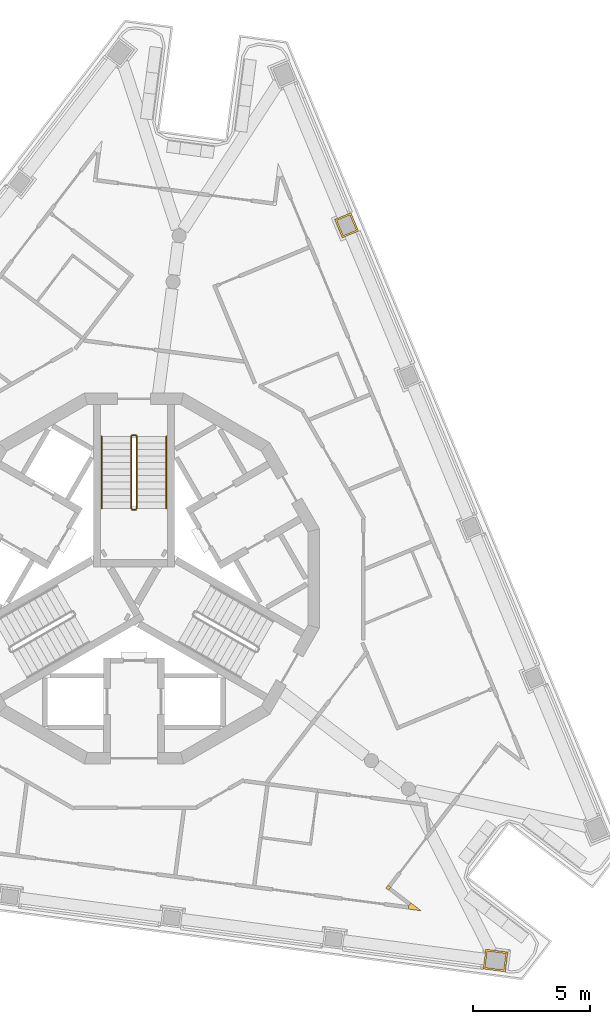
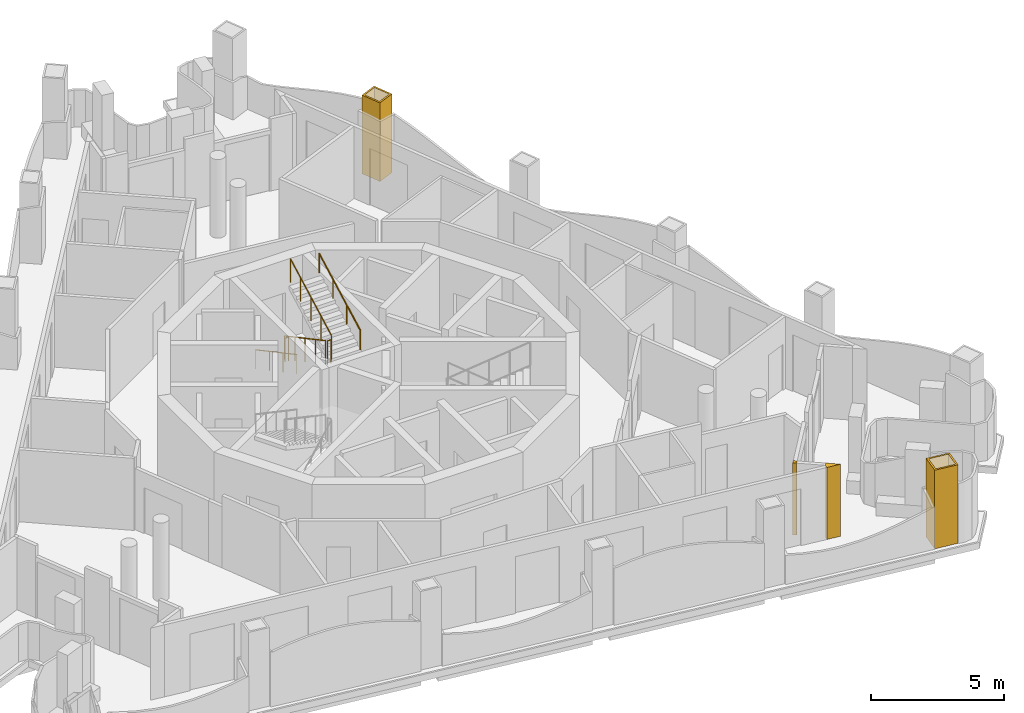
# One storey, part 10 of 12: 6 railings, 4 coverings.
"""IFC4 building model written with IfcOpenShell, lengths in metres."""

from ifc_helpers import new_model, si_unit, direction, frame, origin, origin_2d, place, context, subcontext, project, spatial, polyline, circle, outline, extrude, material, layer, layer_set, type_object, element, save


model = new_model("IFC4")

# Units and contexts
model_context = context("Model", 3, precision=1e-05, world=origin(), true_north=direction((0.0, 1.0)))
body_context = subcontext(model_context, "Body", "Model", "MODEL_VIEW")
ifc_project = project(units=[si_unit("LENGTHUNIT", "METRE"), si_unit("AREAUNIT", "SQUARE_METRE"), si_unit("VOLUMEUNIT", "CUBIC_METRE"), si_unit("PLANEANGLEUNIT", "RADIAN"), si_unit("MASSUNIT", "GRAM", prefix="KILO")], contexts=[model_context])

# Site, building, storey
site_placement = place(None, origin())
site = spatial("IfcSite", under=ifc_project, at=site_placement, CompositionType="ELEMENT")
building_placement = place(site_placement, origin())
building = spatial("IfcBuilding", under=site, at=building_placement, Name="Trine Commons Tower", CompositionType="ELEMENT")
storey_placement = place(building_placement, frame((0.0, 0.0, 282.60009765625)))
storey = spatial("IfcBuildingStorey", under=building, at=storey_placement, Name="L74", CompositionType="ELEMENT", Elevation=282.60009765625)

# Coverings
ifc_material_1 = material(Name="Aluminium-framed insulated wall panel", Category="aluminium")
ifc_layer_1 = layer(ifc_material_1, 0.14990234375)
ifc_layer_set_1 = layer_set([ifc_layer_1], Name="Aluminium-framed insulated wall panel")
covering_type_1 = type_object("IfcCoveringType", Name="Glazing corner post, aluminium", PredefinedType="CLADDING", material=ifc_layer_set_1)
covering_1_placement = place(storey_placement, origin())
element("IfcCovering", 1, at=covering_1_placement, inside=storey, type_object=covering_type_1, Name="Glazing corner post 8-08", PredefinedType="CLADDING", context=body_context, shape_type="SweptSolid", body=[
    extrude(outline(polyline([(90.86962890625, 49.193115234375), (90.9609375, 49.312255859375), (90.841796875, 49.403564453125), (90.75048828125, 49.284423828125), (90.86962890625, 49.193115234375)])), origin(), (0.0, 0.0, 1.0), 3.2998046875),
])
covering_2_placement = place(storey_placement, origin())
element("IfcCovering", 2, at=covering_2_placement, inside=storey, type_object=covering_type_1, Name="Glazing corner post 8-09", PredefinedType="CLADDING", context=body_context, shape_type="SweptSolid", body=[
    extrude(outline(polyline([(91.71142578125, 48.383544921875), (92.266357421875, 48.310302734375), (91.822265625, 48.651123046875), (91.73095703125, 48.5322265625), (91.71142578125, 48.383544921875)])), origin(), (0.0, 0.0, 1.0), 3.2998046875),
])
ifc_material_2 = material(Name="Limestone, honed", Category="masonry")
ifc_layer_2 = layer(ifc_material_2, 0.074951171875)
ifc_layer_set_2 = layer_set([ifc_layer_2], Name="Limestone, honed")
covering_type_2 = type_object("IfcCoveringType", Name="Limestone column cladding 75", PredefinedType="CLADDING", material=ifc_layer_set_2)
covering_3_placement = place(storey_placement, origin())
element("IfcCovering", 3, at=covering_3_placement, inside=storey, type_object=covering_type_2, Name="Limestone pier cladding 8-01", PredefinedType="CLADDING", context=body_context, shape_type="SweptSolid", body=[
    extrude(outline(polyline([(95.019287109375, 46.672119140625), (94.908447265625, 45.829345703125), (95.850341796875, 45.705322265625), (95.961181640625, 46.548095703125), (95.019287109375, 46.672119140625)]), holes=[polyline([(95.083984375, 46.587890625), (94.992431640625, 45.893798828125), (95.78564453125, 45.78955078125), (95.877197265625, 46.4833984375), (95.083984375, 46.587890625)])]), origin(), (0.0, 0.0, 1.0), 3.599853515625),
])
covering_4_placement = place(storey_placement, origin())
element("IfcCovering", 4, at=covering_4_placement, inside=storey, type_object=covering_type_2, Name="Limestone pier cladding 8-14", PredefinedType="CLADDING", context=body_context, shape_type="SweptSolid", body=[
    extrude(outline(polyline([(89.2607421875, 78.11669921875), (88.56787109375, 77.82958984375), (88.89306640625, 77.04443359375), (89.5859375, 77.33154296875), (89.2607421875, 78.11669921875)]), holes=[polyline([(89.22021484375, 78.018798828125), (88.665771484375, 77.789306640625), (88.93359375, 77.142333984375), (89.488037109375, 77.3720703125), (89.22021484375, 78.018798828125)])]), origin(), (0.0, 0.0, 1.0), 3.599853515625),
])

# Railings
ifc_material_3 = material(Name="Stainless steel balustrade", Category="steel")
railing_type_1 = type_object("IfcRailingType", Name="Stair guard, steel balustrade 1100", PredefinedType="GUARDRAIL", material=ifc_material_3)
railing_1_placement = place(storey_placement, frame((79.875, 68.570556640625, 0.14990234375)))
element("IfcRailing", 5, at=railing_1_placement, inside=storey, type_object=railing_type_1, Name="L74 ST1D stair guard 1", PredefinedType="GUARDRAIL", context=body_context, shape_type="SweptSolid", body=[
    extrude(circle(Radius=0.02392578125, at=origin_2d()), frame((0.0, 0.0, 1.076171875), z_axis=(0.0, -0.881496589024, 0.472190389079), x_axis=(1.0, 0.0, 0.0)), (0.0, 0.0, 1.0), 3.494140625),
    extrude(circle(Radius=0.02099609375, at=origin_2d()), origin(), (0.0, 0.0, 1.0), 1.052001953125),
    extrude(circle(Radius=0.02099609375, at=origin_2d()), frame((0.0, -0.77001953125, 0.41259765625)), (0.0, 0.0, 1.0), 1.052001953125),
    extrude(circle(Radius=0.02099609375, at=origin_2d()), frame((0.0, -1.5400390625, 0.824951171875)), (0.0, 0.0, 1.0), 1.052001953125),
    extrude(circle(Radius=0.02099609375, at=origin_2d()), frame((0.0, -2.31005859375, 1.2373046875)), (0.0, 0.0, 1.0), 1.052001953125),
    extrude(circle(Radius=0.02099609375, at=origin_2d()), frame((0.0, -3.080078125, 1.64990234375)), (0.0, 0.0, 1.0), 1.052001953125),
])
railing_2_placement = place(storey_placement, frame((79.925048828125, 65.440673828125, 1.7998046875)))
element("IfcRailing", 6, at=railing_2_placement, inside=storey, type_object=railing_type_1, Name="L74 ST1D stair guard 2", PredefinedType="GUARDRAIL", context=body_context, shape_type="SweptSolid", body=[
    extrude(circle(Radius=0.02392578125, at=origin_2d()), frame((0.0, 0.0, 1.076171875), z_axis=(1.0, 0.0, 0.0), x_axis=(0.0, 1.0, 0.0)), (0.0, 0.0, 1.0), 0.14990234375),
    extrude(circle(Radius=0.02099609375, at=origin_2d()), origin(), (0.0, 0.0, 1.0), 1.052001953125),
    extrude(circle(Radius=0.02099609375, at=origin_2d()), frame((0.14990234375, 0.0, 0.0)), (0.0, 0.0, 1.0), 1.052001953125),
])
railing_3_placement = place(storey_placement, frame((80.125, 65.490478515625, 1.949951171875)))
element("IfcRailing", 7, at=railing_3_placement, inside=storey, type_object=railing_type_1, Name="L74 ST1D stair guard 3", PredefinedType="GUARDRAIL", context=body_context, shape_type="SweptSolid", body=[
    extrude(circle(Radius=0.02392578125, at=origin_2d()), frame((0.0, 0.0, 1.076171875), z_axis=(0.0, 0.881496589024, 0.472190389079), x_axis=(-1.0, 0.0, 0.0)), (0.0, 0.0, 1.0), 3.494140625),
    extrude(circle(Radius=0.02099609375, at=origin_2d()), origin(), (0.0, 0.0, 1.0), 1.052001953125),
    extrude(circle(Radius=0.02099609375, at=origin_2d()), frame((0.0, 0.77001953125, 0.41259765625)), (0.0, 0.0, 1.0), 1.052001953125),
    extrude(circle(Radius=0.02099609375, at=origin_2d()), frame((0.0, 1.5400390625, 0.824951171875)), (0.0, 0.0, 1.0), 1.052001953125),
    extrude(circle(Radius=0.02099609375, at=origin_2d()), frame((0.0, 2.31005859375, 1.2373046875)), (0.0, 0.0, 1.0), 1.052001953125),
    extrude(circle(Radius=0.02099609375, at=origin_2d()), frame((0.0, 3.080078125, 1.64990234375)), (0.0, 0.0, 1.0), 1.052001953125),
])
railing_4_placement = place(storey_placement, frame((79.925048828125, 68.62060546875, 0.0)))
element("IfcRailing", 8, at=railing_4_placement, inside=storey, type_object=railing_type_1, Name="L74 ST1D stair guard 4", PredefinedType="GUARDRAIL", context=body_context, shape_type="SweptSolid", body=[
    extrude(circle(Radius=0.02392578125, at=origin_2d()), frame((0.0, 0.0, 1.076171875), z_axis=(1.0, 0.0, 0.0), x_axis=(0.0, 1.0, 0.0)), (0.0, 0.0, 1.0), 0.14990234375),
    extrude(circle(Radius=0.02099609375, at=origin_2d()), origin(), (0.0, 0.0, 1.0), 1.052001953125),
    extrude(circle(Radius=0.02099609375, at=origin_2d()), frame((0.14990234375, 0.0, 0.0)), (0.0, 0.0, 1.0), 1.052001953125),
])
ifc_material_4 = material(Name="Stainless steel handrail", Category="steel")
railing_type_2 = type_object("IfcRailingType", Name="Stair handrail, steel 900", PredefinedType="HANDRAIL", material=ifc_material_4)
railing_5_placement = place(storey_placement, frame((78.625, 68.570556640625, 0.14990234375)))
element("IfcRailing", 9, at=railing_5_placement, inside=storey, type_object=railing_type_2, Name="L74 ST1D stair handrail 1", PredefinedType="HANDRAIL", context=body_context, shape_type="SweptSolid", body=[
    extrude(circle(Radius=0.02099609375, at=origin_2d()), frame((0.0, 0.0, 0.87890625), z_axis=(0.0, -0.881496589024, 0.472190389079), x_axis=(1.0, 0.0, 0.0)), (0.0, 0.0, 1.0), 3.494140625),
    extrude(circle(Radius=0.01513671875, at=origin_2d()), origin(), (0.0, 0.0, 1.0), 0.85791015625),
    extrude(circle(Radius=0.01513671875, at=origin_2d()), frame((0.0, -1.026611328125, 0.550048828125)), (0.0, 0.0, 1.0), 0.85791015625),
    extrude(circle(Radius=0.01513671875, at=origin_2d()), frame((0.0, -2.053466796875, 1.099853515625)), (0.0, 0.0, 1.0), 0.85791015625),
    extrude(circle(Radius=0.01513671875, at=origin_2d()), frame((0.0, -3.080078125, 1.64990234375)), (0.0, 0.0, 1.0), 0.85791015625),
])
railing_6_placement = place(storey_placement, frame((81.375, 65.490478515625, 1.949951171875)))
element("IfcRailing", 10, at=railing_6_placement, inside=storey, type_object=railing_type_2, Name="L74 ST1D stair handrail 2", PredefinedType="HANDRAIL", context=body_context, shape_type="SweptSolid", body=[
    extrude(circle(Radius=0.02099609375, at=origin_2d()), frame((0.0, 0.0, 0.87890625), z_axis=(0.0, 0.881496589024, 0.472190389079), x_axis=(-1.0, 0.0, 0.0)), (0.0, 0.0, 1.0), 3.494140625),
    extrude(circle(Radius=0.01513671875, at=origin_2d()), origin(), (0.0, 0.0, 1.0), 0.85791015625),
    extrude(circle(Radius=0.01513671875, at=origin_2d()), frame((0.0, 1.026611328125, 0.550048828125)), (0.0, 0.0, 1.0), 0.85791015625),
    extrude(circle(Radius=0.01513671875, at=origin_2d()), frame((0.0, 2.053466796875, 1.099853515625)), (0.0, 0.0, 1.0), 0.85791015625),
    extrude(circle(Radius=0.01513671875, at=origin_2d()), frame((0.0, 3.080078125, 1.64990234375)), (0.0, 0.0, 1.0), 0.85791015625),
])

save(model, "model.ifc")
